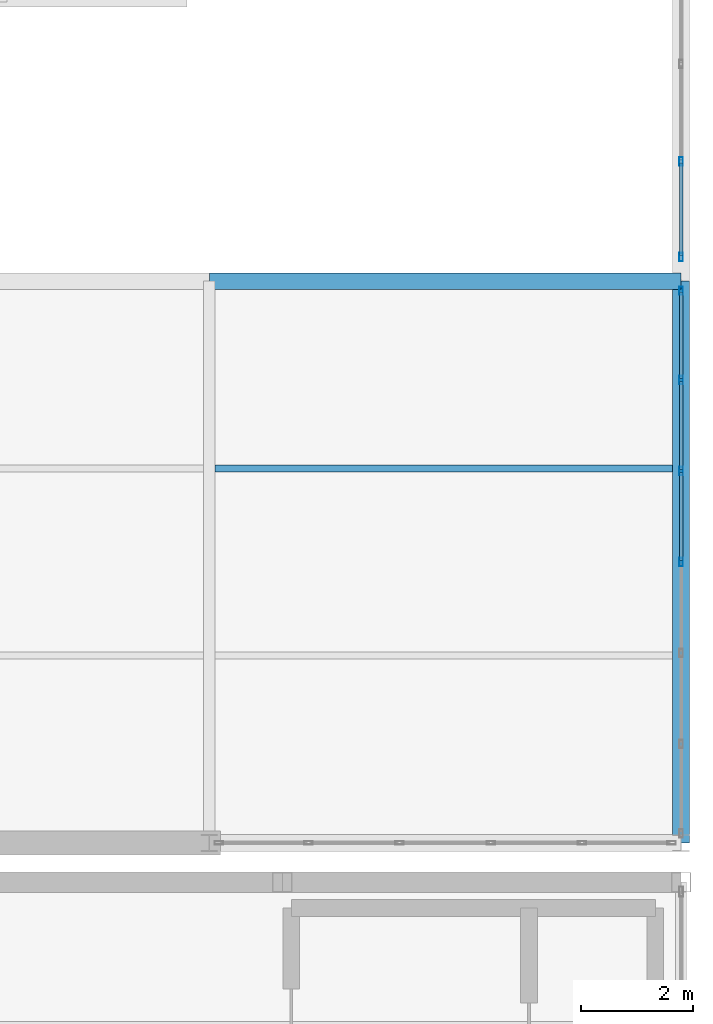
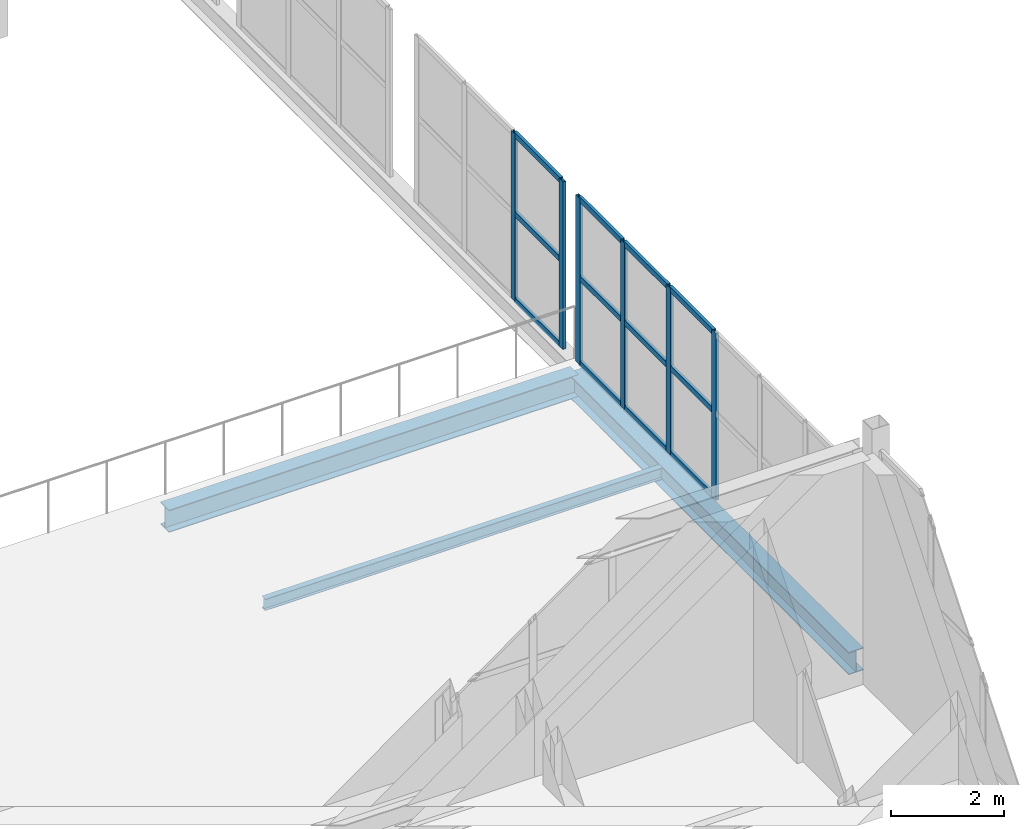
# One storey, part 153 of 218: 18 members, 3 beams, 2 elements without a shape of their own.
"""IFC4 building model written with IfcOpenShell, lengths in metres."""

from ifc_helpers import new_model, si_unit, direction, frame, origin, origin_2d, place, context, subcontext, project, spatial, hollow_rectangle, i_section, extrude, material, material_profile, profile_set, type_object, element, aggregate, save


model = new_model("IFC4")

# Units and contexts
model_context = context("Model", 3, precision=1e-05, world=origin(), true_north=direction((0.0, 1.0)))
body_context = subcontext(model_context, "Body", "Model", "MODEL_VIEW")
ifc_project = project(units=[si_unit("LENGTHUNIT", "METRE"), si_unit("AREAUNIT", "SQUARE_METRE"), si_unit("VOLUMEUNIT", "CUBIC_METRE"), si_unit("PLANEANGLEUNIT", "RADIAN"), si_unit("MASSUNIT", "GRAM", prefix="KILO")], contexts=[model_context])

# Site, building, storey
site_placement = place(None, origin())
site = spatial("IfcSite", under=ifc_project, at=site_placement, CompositionType="ELEMENT")
building_placement = place(site_placement, origin())
building = spatial("IfcBuilding", under=site, at=building_placement, Name="Kazenagashi Tramway Depot", CompositionType="ELEMENT")
storey_placement = place(building_placement, frame((0.0, 0.0, 6.0)))
storey = spatial("IfcBuildingStorey", under=building, at=storey_placement, Name="L02", CompositionType="ELEMENT", Elevation=6.0)

# Beam
ifc_material_1 = material(Name="Steel SN400B", Category="steel")
ifc_material_profile_1 = material_profile(ifc_material_1, i_section(OverallWidth=0.125, OverallDepth=0.25, WebThickness=0.006, FlangeThickness=0.009, at=origin_2d()), Name="H-250x125x6x9")
ifc_profile_set_1 = profile_set([ifc_material_profile_1], Name="Steel SN400B")
beam_type_1 = type_object("IfcBeamType", Name="J-03", PredefinedType="JOIST", material=ifc_profile_set_1)
beam_1_placement = place(storey_placement, frame((187.7, 76.667, -0.39), z_axis=(1.0, 0.0, 0.0), x_axis=(0.0, 1.0, 0.0)))
element("IfcBeam", 1, at=beam_1_placement, inside=storey, type_object=beam_type_1, Name="Beam J-03 BM-1789", PredefinedType="JOIST", context=body_context, shape_type="SweptSolid", body=[
    extrude(i_section(OverallWidth=0.125, OverallDepth=0.25, WebThickness=0.006, FlangeThickness=0.009, at=origin_2d()), origin(), (0.0, 0.0, 1.0), 8.15),
])

# Curtain wall, members
ifc_material_2 = material(Name="Anodised Aluminium and Low-E Glazing", Category="aluminium")
curtain_wall_type_1 = type_object("IfcCurtainWallType", Name="CW-02", PredefinedType="USERDEFINED", material=ifc_material_2)
curtain_wall_1_placement = place(storey_placement, origin())
curtain_wall_1 = element("IfcCurtainWall", 2, at=curtain_wall_1_placement, inside=storey, type_object=curtain_wall_type_1, Name="Industrial Glazed Screen CW-02 CW-0002", ObjectType="GLAZED SCREEN", PredefinedType="USERDEFINED")
ifc_material_3 = material(Name="Anodised Aluminium", Category="aluminium")
ifc_material_profile_2 = material_profile(ifc_material_3, hollow_rectangle(XDim=0.06, YDim=0.15, WallThickness=0.004, at=origin_2d()), Name="RHS-150x60x4")
ifc_profile_set_2 = profile_set([ifc_material_profile_2], Name="Anodised Aluminium")
member_type_1 = type_object("IfcMemberType", Name="ML-01", PredefinedType="MULLION", material=ifc_profile_set_2)
member_1_placement = place(storey_placement, frame((196.0, 75.0, 0.0), z_axis=(0.0, 0.0, 1.0), x_axis=(-1.0, 0.0, 0.0)))
member_1 = element("IfcMember", 3, at=member_1_placement, type_object=member_type_1, Name="CW-02 mullion 4", PredefinedType="MULLION", context=body_context, shape_type="SweptSolid", body=[
    extrude(hollow_rectangle(XDim=0.06, YDim=0.15, WallThickness=0.004, at=origin_2d()), origin(), (0.0, 0.0, 1.0), 3.612),
])
member_2_placement = place(storey_placement, frame((196.0, 76.62, 0.0), z_axis=(0.0, 0.0, 1.0), x_axis=(-1.0, 0.0, 0.0)))
member_2 = element("IfcMember", 4, at=member_2_placement, type_object=member_type_1, Name="CW-02 mullion 5", PredefinedType="MULLION", context=body_context, shape_type="SweptSolid", body=[
    extrude(hollow_rectangle(XDim=0.06, YDim=0.15, WallThickness=0.004, at=origin_2d()), origin(), (0.0, 0.0, 1.0), 3.612),
])
member_3_placement = place(storey_placement, frame((196.0, 78.24, 0.0), z_axis=(0.0, 0.0, 1.0), x_axis=(-1.0, 0.0, 0.0)))
member_3 = element("IfcMember", 5, at=member_3_placement, type_object=member_type_1, Name="CW-02 mullion 6", PredefinedType="MULLION", context=body_context, shape_type="SweptSolid", body=[
    extrude(hollow_rectangle(XDim=0.06, YDim=0.15, WallThickness=0.004, at=origin_2d()), origin(), (0.0, 0.0, 1.0), 3.612),
])
member_4_placement = place(storey_placement, frame((196.0, 79.83, 0.0), z_axis=(0.0, 0.0, 1.0), x_axis=(-1.0, 0.0, 0.0)))
member_4 = element("IfcMember", 6, at=member_4_placement, type_object=member_type_1, Name="CW-02 mullion 7", PredefinedType="MULLION", context=body_context, shape_type="SweptSolid", body=[
    extrude(hollow_rectangle(XDim=0.06, YDim=0.15, WallThickness=0.004, at=origin_2d()), origin(), (0.0, 0.0, 1.0), 3.612),
])

curtain_wall_type_2 = type_object("IfcCurtainWallType", Name="CW-04", PredefinedType="USERDEFINED", material=ifc_material_2)
curtain_wall_2_placement = place(storey_placement, origin())
curtain_wall_2 = element("IfcCurtainWall", 7, at=curtain_wall_2_placement, inside=storey, type_object=curtain_wall_type_2, Name="Industrial Glazed Screen CW-04 CW-0004", ObjectType="GLAZED SCREEN", PredefinedType="USERDEFINED")
member_5_placement = place(storey_placement, frame((196.0, 80.43, -0.02), z_axis=(0.0, 0.0, 1.0), x_axis=(-1.0, 0.0, 0.0)))
member_5 = element("IfcMember", 8, at=member_5_placement, type_object=member_type_1, Name="CW-04 mullion 1", PredefinedType="MULLION", context=body_context, shape_type="SweptSolid", body=[
    extrude(hollow_rectangle(XDim=0.06, YDim=0.15, WallThickness=0.004, at=origin_2d()), origin(), (0.0, 0.0, 1.0), 3.632),
])
member_6_placement = place(storey_placement, frame((196.0, 82.133333, -0.02), z_axis=(0.0, 0.0, 1.0), x_axis=(-1.0, 0.0, 0.0)))
member_6 = element("IfcMember", 9, at=member_6_placement, type_object=member_type_1, Name="CW-04 mullion 2", PredefinedType="MULLION", context=body_context, shape_type="SweptSolid", body=[
    extrude(hollow_rectangle(XDim=0.06, YDim=0.15, WallThickness=0.004, at=origin_2d()), origin(), (0.0, 0.0, 1.0), 3.632),
])

# Beams
ifc_material_4 = material(Name="Steel SN490B", Category="steel")
ifc_material_profile_3 = material_profile(ifc_material_4, i_section(OverallWidth=0.3, OverallDepth=0.488, WebThickness=0.011, FlangeThickness=0.018, at=origin_2d()), Name="H-488x300x11x18")
ifc_profile_set_3 = profile_set([ifc_material_profile_3], Name="Steel SN490B")
beam_type_2 = type_object("IfcBeamType", Name="SP-02", PredefinedType="SPANDREL", material=ifc_profile_set_3)
beam_2_placement = place(storey_placement, frame((187.6, 80.0, -0.509), z_axis=(1.0, 0.0, 0.0), x_axis=(0.0, 1.0, 0.0)))
element("IfcBeam", 10, at=beam_2_placement, inside=storey, type_object=beam_type_2, Name="Beam SP-02 BM-1736", PredefinedType="SPANDREL", context=body_context, shape_type="SweptSolid", body=[
    extrude(i_section(OverallWidth=0.3, OverallDepth=0.488, WebThickness=0.011, FlangeThickness=0.018, at=origin_2d()), origin(), (0.0, 0.0, 1.0), 8.4),
])
beam_3_placement = place(storey_placement, frame((196.0, 70.0, -0.509), z_axis=(0.0, 1.0, 0.0), x_axis=(-1.0, 0.0, 0.0)))
element("IfcBeam", 11, at=beam_3_placement, inside=storey, type_object=beam_type_2, Name="Beam SP-02 BM-1790", PredefinedType="SPANDREL", context=body_context, shape_type="SweptSolid", body=[
    extrude(i_section(OverallWidth=0.3, OverallDepth=0.488, WebThickness=0.011, FlangeThickness=0.018, at=origin_2d()), origin(), (0.0, 0.0, 1.0), 10.0),
])

# Member
ifc_material_profile_4 = material_profile(ifc_material_3, hollow_rectangle(XDim=0.06, YDim=0.12, WallThickness=0.004, at=origin_2d()), Name="RHS-120x60x4")
ifc_profile_set_4 = profile_set([ifc_material_profile_4], Name="Anodised Aluminium")
member_type_2 = type_object("IfcMemberType", Name="TR-01", PredefinedType="USERDEFINED", material=ifc_profile_set_4)
member_7_placement = place(storey_placement, frame((196.0, 75.03, 0.03), z_axis=(0.0, 1.0, 0.0), x_axis=(-1.0, 0.0, 0.0)))
member_7 = element("IfcMember", 12, at=member_7_placement, type_object=member_type_2, Name="CW-02 transom 4.1", ObjectType="TRANSOM", PredefinedType="USERDEFINED", context=body_context, shape_type="SweptSolid", body=[
    extrude(hollow_rectangle(XDim=0.06, YDim=0.12, WallThickness=0.004, at=origin_2d()), origin(), (0.0, 0.0, 1.0), 1.56),
])

member_8_placement = place(storey_placement, frame((196.0, 75.03, 1.878), z_axis=(0.0, 1.0, 0.0), x_axis=(-1.0, 0.0, 0.0)))
member_8 = element("IfcMember", 13, at=member_8_placement, type_object=member_type_2, Name="CW-02 transom 4.2", ObjectType="TRANSOM", PredefinedType="USERDEFINED", context=body_context, shape_type="SweptSolid", body=[
    extrude(hollow_rectangle(XDim=0.06, YDim=0.12, WallThickness=0.004, at=origin_2d()), origin(), (0.0, 0.0, 1.0), 1.56),
])

member_9_placement = place(storey_placement, frame((196.0, 75.03, 3.582), z_axis=(0.0, 1.0, 0.0), x_axis=(-1.0, 0.0, 0.0)))
member_9 = element("IfcMember", 14, at=member_9_placement, type_object=member_type_2, Name="CW-02 transom 4.3", ObjectType="TRANSOM", PredefinedType="USERDEFINED", context=body_context, shape_type="SweptSolid", body=[
    extrude(hollow_rectangle(XDim=0.06, YDim=0.12, WallThickness=0.004, at=origin_2d()), origin(), (0.0, 0.0, 1.0), 1.56),
])

member_10_placement = place(storey_placement, frame((196.0, 76.65, 0.03), z_axis=(0.0, 1.0, 0.0), x_axis=(-1.0, 0.0, 0.0)))
member_10 = element("IfcMember", 15, at=member_10_placement, type_object=member_type_2, Name="CW-02 transom 5.1", ObjectType="TRANSOM", PredefinedType="USERDEFINED", context=body_context, shape_type="SweptSolid", body=[
    extrude(hollow_rectangle(XDim=0.06, YDim=0.12, WallThickness=0.004, at=origin_2d()), origin(), (0.0, 0.0, 1.0), 1.56),
])

member_11_placement = place(storey_placement, frame((196.0, 76.65, 1.878), z_axis=(0.0, 1.0, 0.0), x_axis=(-1.0, 0.0, 0.0)))
member_11 = element("IfcMember", 16, at=member_11_placement, type_object=member_type_2, Name="CW-02 transom 5.2", ObjectType="TRANSOM", PredefinedType="USERDEFINED", context=body_context, shape_type="SweptSolid", body=[
    extrude(hollow_rectangle(XDim=0.06, YDim=0.12, WallThickness=0.004, at=origin_2d()), origin(), (0.0, 0.0, 1.0), 1.56),
])

member_12_placement = place(storey_placement, frame((196.0, 76.65, 3.582), z_axis=(0.0, 1.0, 0.0), x_axis=(-1.0, 0.0, 0.0)))
member_12 = element("IfcMember", 17, at=member_12_placement, type_object=member_type_2, Name="CW-02 transom 5.3", ObjectType="TRANSOM", PredefinedType="USERDEFINED", context=body_context, shape_type="SweptSolid", body=[
    extrude(hollow_rectangle(XDim=0.06, YDim=0.12, WallThickness=0.004, at=origin_2d()), origin(), (0.0, 0.0, 1.0), 1.56),
])

member_13_placement = place(storey_placement, frame((196.0, 78.27, 0.03), z_axis=(0.0, 1.0, 0.0), x_axis=(-1.0, 0.0, 0.0)))
member_13 = element("IfcMember", 18, at=member_13_placement, type_object=member_type_2, Name="CW-02 transom 6.1", ObjectType="TRANSOM", PredefinedType="USERDEFINED", context=body_context, shape_type="SweptSolid", body=[
    extrude(hollow_rectangle(XDim=0.06, YDim=0.12, WallThickness=0.004, at=origin_2d()), origin(), (0.0, 0.0, 1.0), 1.53),
])

member_14_placement = place(storey_placement, frame((196.0, 78.27, 1.878), z_axis=(0.0, 1.0, 0.0), x_axis=(-1.0, 0.0, 0.0)))
member_14 = element("IfcMember", 19, at=member_14_placement, type_object=member_type_2, Name="CW-02 transom 6.2", ObjectType="TRANSOM", PredefinedType="USERDEFINED", context=body_context, shape_type="SweptSolid", body=[
    extrude(hollow_rectangle(XDim=0.06, YDim=0.12, WallThickness=0.004, at=origin_2d()), origin(), (0.0, 0.0, 1.0), 1.53),
])

member_15_placement = place(storey_placement, frame((196.0, 78.27, 3.582), z_axis=(0.0, 1.0, 0.0), x_axis=(-1.0, 0.0, 0.0)))
member_15 = element("IfcMember", 20, at=member_15_placement, type_object=member_type_2, Name="CW-02 transom 6.3", ObjectType="TRANSOM", PredefinedType="USERDEFINED", context=body_context, shape_type="SweptSolid", body=[
    extrude(hollow_rectangle(XDim=0.06, YDim=0.12, WallThickness=0.004, at=origin_2d()), origin(), (0.0, 0.0, 1.0), 1.53),
])

aggregate(curtain_wall_1, [member_1, member_2, member_3, member_4, member_7, member_8, member_9, member_10, member_11, member_12, member_13, member_14, member_15])

member_16_placement = place(storey_placement, frame((196.0, 80.46, 0.01), z_axis=(0.0, 1.0, 0.0), x_axis=(-1.0, 0.0, 0.0)))
member_16 = element("IfcMember", 21, at=member_16_placement, type_object=member_type_2, Name="CW-04 transom 1.1", ObjectType="TRANSOM", PredefinedType="USERDEFINED", context=body_context, shape_type="SweptSolid", body=[
    extrude(hollow_rectangle(XDim=0.06, YDim=0.12, WallThickness=0.004, at=origin_2d()), origin(), (0.0, 0.0, 1.0), 1.643333),
])

member_17_placement = place(storey_placement, frame((196.0, 80.46, 1.869), z_axis=(0.0, 1.0, 0.0), x_axis=(-1.0, 0.0, 0.0)))
member_17 = element("IfcMember", 22, at=member_17_placement, type_object=member_type_2, Name="CW-04 transom 1.2", ObjectType="TRANSOM", PredefinedType="USERDEFINED", context=body_context, shape_type="SweptSolid", body=[
    extrude(hollow_rectangle(XDim=0.06, YDim=0.12, WallThickness=0.004, at=origin_2d()), origin(), (0.0, 0.0, 1.0), 1.643333),
])

member_18_placement = place(storey_placement, frame((196.0, 80.46, 3.582), z_axis=(0.0, 1.0, 0.0), x_axis=(-1.0, 0.0, 0.0)))
member_18 = element("IfcMember", 23, at=member_18_placement, type_object=member_type_2, Name="CW-04 transom 1.3", ObjectType="TRANSOM", PredefinedType="USERDEFINED", context=body_context, shape_type="SweptSolid", body=[
    extrude(hollow_rectangle(XDim=0.06, YDim=0.12, WallThickness=0.004, at=origin_2d()), origin(), (0.0, 0.0, 1.0), 1.643333),
])

aggregate(curtain_wall_2, [member_5, member_6, member_16, member_17, member_18])

save(model, "model.ifc")
